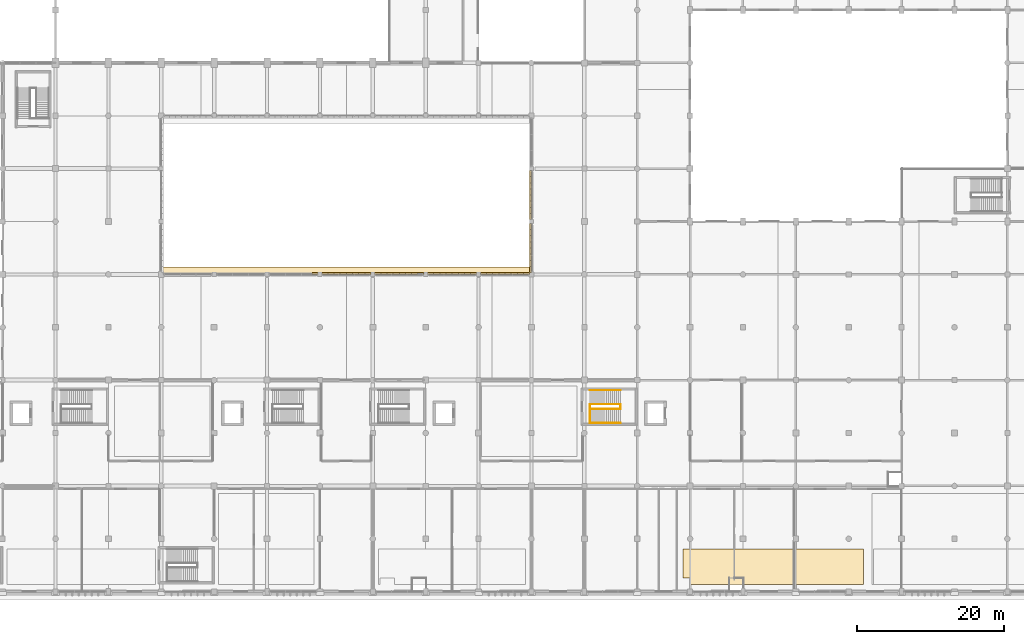
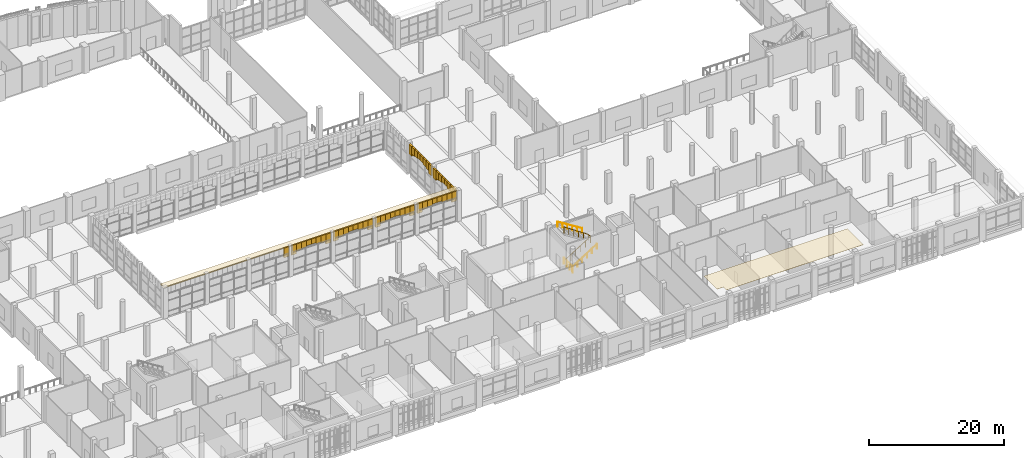
# One storey, part 70 of 80: 51 coverings, 4 railings.
"""IFC4 building model written with IfcOpenShell, lengths in metres."""

from ifc_helpers import new_model, si_unit, direction, frame, frame_2d, origin, origin_2d, place, context, subcontext, project, spatial, polyline, rectangle, circle, outline, extrude, material, layer, layer_set, type_object, element, save


model = new_model("IFC4")

# Units and contexts
model_context = context("Model", 3, precision=1e-05, world=origin(), true_north=direction((0.0, 1.0)))
body_context = subcontext(model_context, "Body", "Model", "MODEL_VIEW")
ifc_project = project(units=[si_unit("LENGTHUNIT", "METRE"), si_unit("AREAUNIT", "SQUARE_METRE"), si_unit("VOLUMEUNIT", "CUBIC_METRE"), si_unit("PLANEANGLEUNIT", "RADIAN"), si_unit("MASSUNIT", "GRAM", prefix="KILO")], contexts=[model_context])

# Site, building, storey
site_placement = place(None, origin())
site = spatial("IfcSite", under=ifc_project, at=site_placement, CompositionType="ELEMENT")
building_placement = place(site_placement, origin())
building = spatial("IfcBuilding", under=site, at=building_placement, Name="Sardonyx Promenade Sports Hall", CompositionType="ELEMENT")
storey_placement = place(building_placement, frame((0.0, 0.0, 5.60009765625)))
storey = spatial("IfcBuildingStorey", under=building, at=storey_placement, Name="L01", CompositionType="ELEMENT", Elevation=5.60009765625)

# Coverings
ifc_material_1 = material(Name="Perforated acoustic mineral-fibre baffle ceiling", Category="other")
ifc_layer_1 = layer(ifc_material_1, 0.0400390625)
ifc_layer_set_1 = layer_set([ifc_layer_1], Name="Cov_Ceil_Acoustic")
covering_type_1 = type_object("IfcCoveringType", Name="Cov_Ceil_Acoustic", PredefinedType="CEILING", material=ifc_layer_set_1)
covering_1_placement = place(storey_placement, frame((0.0, 0.0, 5.27001953125)))
element("IfcCovering", 1, at=covering_1_placement, inside=storey, type_object=covering_type_1, Name="Acoustic baffle ceiling CLG1 L01 #11", PredefinedType="CEILING", context=body_context, shape_type="SweptSolid", body=[
    extrude(outline(polyline([(138.800048828125, 5.800048828125), (114.199951171875, 5.800048828125), (114.199951171875, 1.8798828125), (115.19189453125, 1.8798828125), (115.19873046875, 1.879638671875), (115.20751953125, 1.87841796875), (115.21630859375, 1.876220703125), (115.224609375, 1.873291015625), (115.232421875, 1.869384765625), (115.239990234375, 1.864990234375), (115.247314453125, 1.859619140625), (115.253662109375, 1.853759765625), (115.259521484375, 1.84716796875), (115.264892578125, 1.840087890625), (115.26953125, 1.83251953125), (115.273193359375, 1.824462890625), (115.276123046875, 1.816162109375), (115.2783203125, 1.8076171875), (115.27978515625, 1.798828125), (115.280029296875, 1.7919921875), (115.280029296875, 1.0), (138.800048828125, 1.0), (138.800048828125, 5.800048828125)])), origin(), (0.0, 0.0, 1.0), 0.039794921875),
])
ifc_material_2 = material(Name="Dressed Cape red sandstone cornice", Category="masonry")
ifc_layer_2 = layer(ifc_material_2, 0.139892578125)
ifc_layer_set_2 = layer_set([ifc_layer_2], Name="Cov_Chhajja_Eave")
covering_type_2 = type_object("IfcCoveringType", Name="Cov_Chhajja_Eave", PredefinedType="MOLDING", material=ifc_layer_set_2)
covering_2_placement = place(storey_placement, frame((0.0, 0.0, 5.349853515625)))
element("IfcCovering", 2, at=covering_2_placement, inside=storey, type_object=covering_type_2, Name="Charbagh courtyard south chhajja eave L01", PredefinedType="MOLDING", context=body_context, shape_type="SweptSolid", body=[
    extrude(outline(polyline([(43.10009765625, 43.14990234375), (93.699951171875, 43.14990234375), (93.699951171875, 44.199951171875), (43.10009765625, 44.199951171875), (43.10009765625, 43.14990234375)])), origin(), (0.0, 0.0, 1.0), 0.179931640625),
])
ifc_material_3 = material(Name="Carved Cape red sandstone ashlar", Category="masonry")
ifc_layer_3 = layer(ifc_material_3, 0.239990234375)
ifc_layer_set_3 = layer_set([ifc_layer_3], Name="Cov_Mughal_Arch")
covering_type_3 = type_object("IfcCoveringType", Name="Cov_Mughal_Arch", PredefinedType="CLADDING", material=ifc_layer_set_3)
covering_3_placement = place(storey_placement, frame((63.71240234375, 43.35009765625, 3.584716796875), z_axis=(0.0, 0.0, 1.0), x_axis=(1.0, 0.0, 0.0)))
element("IfcCovering", 3, at=covering_3_placement, inside=storey, type_object=covering_type_3, Name="Mughal pointed-arch spandrel L01 cov:rq:S:L01:2 #8", PredefinedType="CLADDING", context=body_context, shape_type="SweptSolid", body=[
    extrude(rectangle(XDim=0.837646484375, YDim=0.280029296875, at=frame_2d((0.4189453125, 0.0))), origin(), (0.0, 0.0, 1.0), 1.76513671875),
])
covering_4_placement = place(storey_placement, frame((65.050048828125, 43.35009765625, 3.584716796875), z_axis=(0.0, 0.0, 1.0), x_axis=(1.0, 0.0, 0.0)))
element("IfcCovering", 4, at=covering_4_placement, inside=storey, type_object=covering_type_3, Name="Mughal pointed-arch spandrel L01 cov:rq:S:L01:3 #1", PredefinedType="CLADDING", context=body_context, shape_type="SweptSolid", body=[
    extrude(rectangle(XDim=0.83740234375, YDim=0.280029296875, at=frame_2d((0.418701171875, 0.0))), origin(), (0.0, 0.0, 1.0), 1.76513671875),
])
covering_5_placement = place(storey_placement, frame((65.887451171875, 43.35009765625, 4.041748046875), z_axis=(0.0, 0.0, 1.0), x_axis=(1.0, 0.0, 0.0)))
element("IfcCovering", 5, at=covering_5_placement, inside=storey, type_object=covering_type_3, Name="Mughal pointed-arch spandrel L01 cov:rq:S:L01:3 #2", PredefinedType="CLADDING", context=body_context, shape_type="SweptSolid", body=[
    extrude(rectangle(XDim=0.837646484375, YDim=0.280029296875, at=frame_2d((0.4189453125, 0.0))), origin(), (0.0, 0.0, 1.0), 1.30810546875),
])
covering_6_placement = place(storey_placement, frame((66.72509765625, 43.35009765625, 4.2119140625), z_axis=(0.0, 0.0, 1.0), x_axis=(1.0, 0.0, 0.0)))
element("IfcCovering", 6, at=covering_6_placement, inside=storey, type_object=covering_type_3, Name="Mughal pointed-arch spandrel L01 cov:rq:S:L01:3 #3", PredefinedType="CLADDING", context=body_context, shape_type="SweptSolid", body=[
    extrude(rectangle(XDim=0.83740234375, YDim=0.280029296875, at=frame_2d((0.418701171875, 0.0))), origin(), (0.0, 0.0, 1.0), 1.137939453125),
])
covering_7_placement = place(storey_placement, frame((67.5625, 43.35009765625, 4.429931640625), z_axis=(0.0, 0.0, 1.0), x_axis=(1.0, 0.0, 0.0)))
element("IfcCovering", 7, at=covering_7_placement, inside=storey, type_object=covering_type_3, Name="Mughal pointed-arch spandrel L01 cov:rq:S:L01:3 #4", PredefinedType="CLADDING", context=body_context, shape_type="SweptSolid", body=[
    extrude(rectangle(XDim=0.83740234375, YDim=0.280029296875, at=frame_2d((0.418701171875, 0.0))), origin(), (0.0, 0.0, 1.0), 0.919921875),
])
covering_8_placement = place(storey_placement, frame((68.39990234375, 43.35009765625, 4.429931640625), z_axis=(0.0, 0.0, 1.0), x_axis=(1.0, 0.0, 0.0)))
element("IfcCovering", 8, at=covering_8_placement, inside=storey, type_object=covering_type_3, Name="Mughal pointed-arch spandrel L01 cov:rq:S:L01:3 #5", PredefinedType="CLADDING", context=body_context, shape_type="SweptSolid", body=[
    extrude(rectangle(XDim=0.837646484375, YDim=0.280029296875, at=frame_2d((0.4189453125, 0.0))), origin(), (0.0, 0.0, 1.0), 0.919921875),
])
covering_9_placement = place(storey_placement, frame((69.237548828125, 43.35009765625, 4.2119140625), z_axis=(0.0, 0.0, 1.0), x_axis=(1.0, 0.0, 0.0)))
element("IfcCovering", 9, at=covering_9_placement, inside=storey, type_object=covering_type_3, Name="Mughal pointed-arch spandrel L01 cov:rq:S:L01:3 #6", PredefinedType="CLADDING", context=body_context, shape_type="SweptSolid", body=[
    extrude(rectangle(XDim=0.83740234375, YDim=0.280029296875, at=frame_2d((0.418701171875, 0.0))), origin(), (0.0, 0.0, 1.0), 1.137939453125),
])
covering_10_placement = place(storey_placement, frame((70.074951171875, 43.35009765625, 4.041748046875), z_axis=(0.0, 0.0, 1.0), x_axis=(1.0, 0.0, 0.0)))
element("IfcCovering", 10, at=covering_10_placement, inside=storey, type_object=covering_type_3, Name="Mughal pointed-arch spandrel L01 cov:rq:S:L01:3 #7", PredefinedType="CLADDING", context=body_context, shape_type="SweptSolid", body=[
    extrude(rectangle(XDim=0.837646484375, YDim=0.280029296875, at=frame_2d((0.4189453125, 0.0))), origin(), (0.0, 0.0, 1.0), 1.30810546875),
])
for number, where, z_axis, x_axis, name in (
    (11, (70.91259765625, 43.35009765625, 3.584716796875), (0.0, 0.0, 1.0), (1.0, 0.0, 0.0), "Mughal pointed-arch spandrel L01 cov:rq:S:L01:3 #8"),
    (12, (72.25, 43.35009765625, 3.584716796875), (0.0, 0.0, 1.0), (1.0, 0.0, 0.0), "Mughal pointed-arch spandrel L01 cov:rq:S:L01:4 #1"),
):
    element("IfcCovering", number, at=place(storey_placement, frame(where, z_axis=z_axis, x_axis=x_axis)), inside=storey, type_object=covering_type_3, Name=name, PredefinedType="CLADDING", context=body_context, shape_type="SweptSolid", body=[
        extrude(rectangle(XDim=0.83740234375, YDim=0.280029296875, at=frame_2d((0.418701171875, 0.0))), origin(), (0.0, 0.0, 1.0), 1.76513671875),
    ])
covering_11_placement = place(storey_placement, frame((73.08740234375, 43.35009765625, 4.041748046875), z_axis=(0.0, 0.0, 1.0), x_axis=(1.0, 0.0, 0.0)))
element("IfcCovering", 13, at=covering_11_placement, inside=storey, type_object=covering_type_3, Name="Mughal pointed-arch spandrel L01 cov:rq:S:L01:4 #2", PredefinedType="CLADDING", context=body_context, shape_type="SweptSolid", body=[
    extrude(rectangle(XDim=0.837646484375, YDim=0.280029296875, at=frame_2d((0.4189453125, 0.0))), origin(), (0.0, 0.0, 1.0), 1.30810546875),
])
covering_12_placement = place(storey_placement, frame((73.925048828125, 43.35009765625, 4.2119140625), z_axis=(0.0, 0.0, 1.0), x_axis=(1.0, 0.0, 0.0)))
element("IfcCovering", 14, at=covering_12_placement, inside=storey, type_object=covering_type_3, Name="Mughal pointed-arch spandrel L01 cov:rq:S:L01:4 #3", PredefinedType="CLADDING", context=body_context, shape_type="SweptSolid", body=[
    extrude(rectangle(XDim=0.83740234375, YDim=0.280029296875, at=frame_2d((0.418701171875, 0.0))), origin(), (0.0, 0.0, 1.0), 1.137939453125),
])
covering_13_placement = place(storey_placement, frame((74.762451171875, 43.35009765625, 4.429931640625), z_axis=(0.0, 0.0, 1.0), x_axis=(1.0, 0.0, 0.0)))
element("IfcCovering", 15, at=covering_13_placement, inside=storey, type_object=covering_type_3, Name="Mughal pointed-arch spandrel L01 cov:rq:S:L01:4 #4", PredefinedType="CLADDING", context=body_context, shape_type="SweptSolid", body=[
    extrude(rectangle(XDim=0.837646484375, YDim=0.280029296875, at=frame_2d((0.4189453125, 0.0))), origin(), (0.0, 0.0, 1.0), 0.919921875),
])
covering_14_placement = place(storey_placement, frame((75.60009765625, 43.35009765625, 4.429931640625), z_axis=(0.0, 0.0, 1.0), x_axis=(1.0, 0.0, 0.0)))
element("IfcCovering", 16, at=covering_14_placement, inside=storey, type_object=covering_type_3, Name="Mughal pointed-arch spandrel L01 cov:rq:S:L01:4 #5", PredefinedType="CLADDING", context=body_context, shape_type="SweptSolid", body=[
    extrude(rectangle(XDim=0.83740234375, YDim=0.280029296875, at=frame_2d((0.418701171875, 0.0))), origin(), (0.0, 0.0, 1.0), 0.919921875),
])
covering_15_placement = place(storey_placement, frame((76.4375, 43.35009765625, 4.2119140625), z_axis=(0.0, 0.0, 1.0), x_axis=(1.0, 0.0, 0.0)))
element("IfcCovering", 17, at=covering_15_placement, inside=storey, type_object=covering_type_3, Name="Mughal pointed-arch spandrel L01 cov:rq:S:L01:4 #6", PredefinedType="CLADDING", context=body_context, shape_type="SweptSolid", body=[
    extrude(rectangle(XDim=0.83740234375, YDim=0.280029296875, at=frame_2d((0.418701171875, 0.0))), origin(), (0.0, 0.0, 1.0), 1.137939453125),
])
covering_16_placement = place(storey_placement, frame((77.27490234375, 43.35009765625, 4.041748046875), z_axis=(0.0, 0.0, 1.0), x_axis=(1.0, 0.0, 0.0)))
element("IfcCovering", 18, at=covering_16_placement, inside=storey, type_object=covering_type_3, Name="Mughal pointed-arch spandrel L01 cov:rq:S:L01:4 #7", PredefinedType="CLADDING", context=body_context, shape_type="SweptSolid", body=[
    extrude(rectangle(XDim=0.837646484375, YDim=0.280029296875, at=frame_2d((0.4189453125, 0.0))), origin(), (0.0, 0.0, 1.0), 1.30810546875),
])
covering_17_placement = place(storey_placement, frame((78.112548828125, 43.35009765625, 3.584716796875), z_axis=(0.0, 0.0, 1.0), x_axis=(1.0, 0.0, 0.0)))
element("IfcCovering", 19, at=covering_17_placement, inside=storey, type_object=covering_type_3, Name="Mughal pointed-arch spandrel L01 cov:rq:S:L01:4 #8", PredefinedType="CLADDING", context=body_context, shape_type="SweptSolid", body=[
    extrude(rectangle(XDim=0.83740234375, YDim=0.280029296875, at=frame_2d((0.418701171875, 0.0))), origin(), (0.0, 0.0, 1.0), 1.76513671875),
])
covering_18_placement = place(storey_placement, frame((79.449951171875, 43.35009765625, 3.584716796875), z_axis=(0.0, 0.0, 1.0), x_axis=(1.0, 0.0, 0.0)))
element("IfcCovering", 20, at=covering_18_placement, inside=storey, type_object=covering_type_3, Name="Mughal pointed-arch spandrel L01 cov:rq:S:L01:5 #1", PredefinedType="CLADDING", context=body_context, shape_type="SweptSolid", body=[
    extrude(rectangle(XDim=0.837646484375, YDim=0.280029296875, at=frame_2d((0.4189453125, 0.0))), origin(), (0.0, 0.0, 1.0), 1.76513671875),
])
covering_19_placement = place(storey_placement, frame((80.28759765625, 43.35009765625, 4.041748046875), z_axis=(0.0, 0.0, 1.0), x_axis=(1.0, 0.0, 0.0)))
element("IfcCovering", 21, at=covering_19_placement, inside=storey, type_object=covering_type_3, Name="Mughal pointed-arch spandrel L01 cov:rq:S:L01:5 #2", PredefinedType="CLADDING", context=body_context, shape_type="SweptSolid", body=[
    extrude(rectangle(XDim=0.83740234375, YDim=0.280029296875, at=frame_2d((0.418701171875, 0.0))), origin(), (0.0, 0.0, 1.0), 1.30810546875),
])
covering_20_placement = place(storey_placement, frame((81.125, 43.35009765625, 4.2119140625), z_axis=(0.0, 0.0, 1.0), x_axis=(1.0, 0.0, 0.0)))
element("IfcCovering", 22, at=covering_20_placement, inside=storey, type_object=covering_type_3, Name="Mughal pointed-arch spandrel L01 cov:rq:S:L01:5 #3", PredefinedType="CLADDING", context=body_context, shape_type="SweptSolid", body=[
    extrude(rectangle(XDim=0.83740234375, YDim=0.280029296875, at=frame_2d((0.418701171875, 0.0))), origin(), (0.0, 0.0, 1.0), 1.137939453125),
])
covering_21_placement = place(storey_placement, frame((81.96240234375, 43.35009765625, 4.429931640625), z_axis=(0.0, 0.0, 1.0), x_axis=(1.0, 0.0, 0.0)))
element("IfcCovering", 23, at=covering_21_placement, inside=storey, type_object=covering_type_3, Name="Mughal pointed-arch spandrel L01 cov:rq:S:L01:5 #4", PredefinedType="CLADDING", context=body_context, shape_type="SweptSolid", body=[
    extrude(rectangle(XDim=0.837646484375, YDim=0.280029296875, at=frame_2d((0.4189453125, 0.0))), origin(), (0.0, 0.0, 1.0), 0.919921875),
])
covering_22_placement = place(storey_placement, frame((82.800048828125, 43.35009765625, 4.429931640625), z_axis=(0.0, 0.0, 1.0), x_axis=(1.0, 0.0, 0.0)))
element("IfcCovering", 24, at=covering_22_placement, inside=storey, type_object=covering_type_3, Name="Mughal pointed-arch spandrel L01 cov:rq:S:L01:5 #5", PredefinedType="CLADDING", context=body_context, shape_type="SweptSolid", body=[
    extrude(rectangle(XDim=0.83740234375, YDim=0.280029296875, at=frame_2d((0.418701171875, 0.0))), origin(), (0.0, 0.0, 1.0), 0.919921875),
])
covering_23_placement = place(storey_placement, frame((83.637451171875, 43.35009765625, 4.2119140625), z_axis=(0.0, 0.0, 1.0), x_axis=(1.0, 0.0, 0.0)))
element("IfcCovering", 25, at=covering_23_placement, inside=storey, type_object=covering_type_3, Name="Mughal pointed-arch spandrel L01 cov:rq:S:L01:5 #6", PredefinedType="CLADDING", context=body_context, shape_type="SweptSolid", body=[
    extrude(rectangle(XDim=0.837646484375, YDim=0.280029296875, at=frame_2d((0.4189453125, 0.0))), origin(), (0.0, 0.0, 1.0), 1.137939453125),
])
covering_24_placement = place(storey_placement, frame((84.47509765625, 43.35009765625, 4.041748046875), z_axis=(0.0, 0.0, 1.0), x_axis=(1.0, 0.0, 0.0)))
element("IfcCovering", 26, at=covering_24_placement, inside=storey, type_object=covering_type_3, Name="Mughal pointed-arch spandrel L01 cov:rq:S:L01:5 #7", PredefinedType="CLADDING", context=body_context, shape_type="SweptSolid", body=[
    extrude(rectangle(XDim=0.83740234375, YDim=0.280029296875, at=frame_2d((0.418701171875, 0.0))), origin(), (0.0, 0.0, 1.0), 1.30810546875),
])
covering_25_placement = place(storey_placement, frame((85.3125, 43.35009765625, 3.584716796875), z_axis=(0.0, 0.0, 1.0), x_axis=(1.0, 0.0, 0.0)))
element("IfcCovering", 27, at=covering_25_placement, inside=storey, type_object=covering_type_3, Name="Mughal pointed-arch spandrel L01 cov:rq:S:L01:5 #8", PredefinedType="CLADDING", context=body_context, shape_type="SweptSolid", body=[
    extrude(rectangle(XDim=0.83740234375, YDim=0.280029296875, at=frame_2d((0.418701171875, 0.0))), origin(), (0.0, 0.0, 1.0), 1.76513671875),
])
covering_26_placement = place(storey_placement, frame((86.64990234375, 43.35009765625, 3.584716796875), z_axis=(0.0, 0.0, 1.0), x_axis=(1.0, 0.0, 0.0)))
element("IfcCovering", 28, at=covering_26_placement, inside=storey, type_object=covering_type_3, Name="Mughal pointed-arch spandrel L01 cov:rq:S:L01:6 #1", PredefinedType="CLADDING", context=body_context, shape_type="SweptSolid", body=[
    extrude(rectangle(XDim=0.837646484375, YDim=0.280029296875, at=frame_2d((0.4189453125, 0.0))), origin(), (0.0, 0.0, 1.0), 1.76513671875),
])
covering_27_placement = place(storey_placement, frame((87.487548828125, 43.35009765625, 4.041748046875), z_axis=(0.0, 0.0, 1.0), x_axis=(1.0, 0.0, 0.0)))
element("IfcCovering", 29, at=covering_27_placement, inside=storey, type_object=covering_type_3, Name="Mughal pointed-arch spandrel L01 cov:rq:S:L01:6 #2", PredefinedType="CLADDING", context=body_context, shape_type="SweptSolid", body=[
    extrude(rectangle(XDim=0.83740234375, YDim=0.280029296875, at=frame_2d((0.418701171875, 0.0))), origin(), (0.0, 0.0, 1.0), 1.30810546875),
])
covering_28_placement = place(storey_placement, frame((88.324951171875, 43.35009765625, 4.2119140625), z_axis=(0.0, 0.0, 1.0), x_axis=(1.0, 0.0, 0.0)))
element("IfcCovering", 30, at=covering_28_placement, inside=storey, type_object=covering_type_3, Name="Mughal pointed-arch spandrel L01 cov:rq:S:L01:6 #3", PredefinedType="CLADDING", context=body_context, shape_type="SweptSolid", body=[
    extrude(rectangle(XDim=0.837646484375, YDim=0.280029296875, at=frame_2d((0.4189453125, 0.0))), origin(), (0.0, 0.0, 1.0), 1.137939453125),
])
for number, where, z_axis, x_axis, name in (
    (31, (89.16259765625, 43.35009765625, 4.429931640625), (0.0, 0.0, 1.0), (1.0, 0.0, 0.0), "Mughal pointed-arch spandrel L01 cov:rq:S:L01:6 #4"),
    (32, (90.0, 43.35009765625, 4.429931640625), (0.0, 0.0, 1.0), (1.0, 0.0, 0.0), "Mughal pointed-arch spandrel L01 cov:rq:S:L01:6 #5"),
):
    element("IfcCovering", number, at=place(storey_placement, frame(where, z_axis=z_axis, x_axis=x_axis)), inside=storey, type_object=covering_type_3, Name=name, PredefinedType="CLADDING", context=body_context, shape_type="SweptSolid", body=[
        extrude(rectangle(XDim=0.83740234375, YDim=0.280029296875, at=frame_2d((0.418701171875, 0.0))), origin(), (0.0, 0.0, 1.0), 0.919921875),
    ])
covering_29_placement = place(storey_placement, frame((90.83740234375, 43.35009765625, 4.2119140625), z_axis=(0.0, 0.0, 1.0), x_axis=(1.0, 0.0, 0.0)))
element("IfcCovering", 33, at=covering_29_placement, inside=storey, type_object=covering_type_3, Name="Mughal pointed-arch spandrel L01 cov:rq:S:L01:6 #6", PredefinedType="CLADDING", context=body_context, shape_type="SweptSolid", body=[
    extrude(rectangle(XDim=0.837646484375, YDim=0.280029296875, at=frame_2d((0.4189453125, 0.0))), origin(), (0.0, 0.0, 1.0), 1.137939453125),
])
covering_30_placement = place(storey_placement, frame((91.675048828125, 43.35009765625, 4.041748046875), z_axis=(0.0, 0.0, 1.0), x_axis=(1.0, 0.0, 0.0)))
element("IfcCovering", 34, at=covering_30_placement, inside=storey, type_object=covering_type_3, Name="Mughal pointed-arch spandrel L01 cov:rq:S:L01:6 #7", PredefinedType="CLADDING", context=body_context, shape_type="SweptSolid", body=[
    extrude(rectangle(XDim=0.83740234375, YDim=0.280029296875, at=frame_2d((0.418701171875, 0.0))), origin(), (0.0, 0.0, 1.0), 1.30810546875),
])
for number, where, z_axis, x_axis, name in (
    (35, (92.512451171875, 43.35009765625, 3.584716796875), (0.0, 0.0, 1.0), (1.0, 0.0, 0.0), "Mughal pointed-arch spandrel L01 cov:rq:S:L01:6 #8"),
    (36, (93.449951171875, 43.449951171875, 3.584716796875), (0.0, 0.0, 1.0), (0.0, 1.0, 0.0), "Mughal pointed-arch spandrel L01 cov:rq:E:L01:0 #1"),
):
    element("IfcCovering", number, at=place(storey_placement, frame(where, z_axis=z_axis, x_axis=x_axis)), inside=storey, type_object=covering_type_3, Name=name, PredefinedType="CLADDING", context=body_context, shape_type="SweptSolid", body=[
        extrude(rectangle(XDim=0.837646484375, YDim=0.280029296875, at=frame_2d((0.4189453125, 0.0))), origin(), (0.0, 0.0, 1.0), 1.76513671875),
    ])
covering_31_placement = place(storey_placement, frame((93.449951171875, 44.28759765625, 4.041748046875), z_axis=(0.0, 0.0, 1.0), x_axis=(0.0, 1.0, 0.0)))
element("IfcCovering", 37, at=covering_31_placement, inside=storey, type_object=covering_type_3, Name="Mughal pointed-arch spandrel L01 cov:rq:E:L01:0 #2", PredefinedType="CLADDING", context=body_context, shape_type="SweptSolid", body=[
    extrude(rectangle(XDim=0.83740234375, YDim=0.280029296875, at=frame_2d((0.418701171875, 0.0))), origin(), (0.0, 0.0, 1.0), 1.30810546875),
])
covering_32_placement = place(storey_placement, frame((93.449951171875, 45.125, 4.2119140625), z_axis=(0.0, 0.0, 1.0), x_axis=(0.0, 1.0, 0.0)))
element("IfcCovering", 38, at=covering_32_placement, inside=storey, type_object=covering_type_3, Name="Mughal pointed-arch spandrel L01 cov:rq:E:L01:0 #3", PredefinedType="CLADDING", context=body_context, shape_type="SweptSolid", body=[
    extrude(rectangle(XDim=0.83740234375, YDim=0.280029296875, at=frame_2d((0.418701171875, 0.0))), origin(), (0.0, 0.0, 1.0), 1.137939453125),
])
covering_33_placement = place(storey_placement, frame((93.449951171875, 45.96240234375, 4.429931640625), z_axis=(0.0, 0.0, 1.0), x_axis=(0.0, 1.0, 0.0)))
element("IfcCovering", 39, at=covering_33_placement, inside=storey, type_object=covering_type_3, Name="Mughal pointed-arch spandrel L01 cov:rq:E:L01:0 #4", PredefinedType="CLADDING", context=body_context, shape_type="SweptSolid", body=[
    extrude(rectangle(XDim=0.837646484375, YDim=0.280029296875, at=frame_2d((0.4189453125, 0.0))), origin(), (0.0, 0.0, 1.0), 0.919921875),
])
covering_34_placement = place(storey_placement, frame((93.449951171875, 46.800048828125, 4.429931640625), z_axis=(0.0, 0.0, 1.0), x_axis=(0.0, 1.0, 0.0)))
element("IfcCovering", 40, at=covering_34_placement, inside=storey, type_object=covering_type_3, Name="Mughal pointed-arch spandrel L01 cov:rq:E:L01:0 #5", PredefinedType="CLADDING", context=body_context, shape_type="SweptSolid", body=[
    extrude(rectangle(XDim=0.83740234375, YDim=0.280029296875, at=frame_2d((0.418701171875, 0.0))), origin(), (0.0, 0.0, 1.0), 0.919921875),
])
covering_35_placement = place(storey_placement, frame((93.449951171875, 47.637451171875, 4.2119140625), z_axis=(0.0, 0.0, 1.0), x_axis=(0.0, 1.0, 0.0)))
element("IfcCovering", 41, at=covering_35_placement, inside=storey, type_object=covering_type_3, Name="Mughal pointed-arch spandrel L01 cov:rq:E:L01:0 #6", PredefinedType="CLADDING", context=body_context, shape_type="SweptSolid", body=[
    extrude(rectangle(XDim=0.837646484375, YDim=0.280029296875, at=frame_2d((0.4189453125, 0.0))), origin(), (0.0, 0.0, 1.0), 1.137939453125),
])
covering_36_placement = place(storey_placement, frame((93.449951171875, 48.47509765625, 4.041748046875), z_axis=(0.0, 0.0, 1.0), x_axis=(0.0, 1.0, 0.0)))
element("IfcCovering", 42, at=covering_36_placement, inside=storey, type_object=covering_type_3, Name="Mughal pointed-arch spandrel L01 cov:rq:E:L01:0 #7", PredefinedType="CLADDING", context=body_context, shape_type="SweptSolid", body=[
    extrude(rectangle(XDim=0.83740234375, YDim=0.280029296875, at=frame_2d((0.418701171875, 0.0))), origin(), (0.0, 0.0, 1.0), 1.30810546875),
])
covering_37_placement = place(storey_placement, frame((93.449951171875, 49.3125, 3.584716796875), z_axis=(0.0, 0.0, 1.0), x_axis=(0.0, 1.0, 0.0)))
element("IfcCovering", 43, at=covering_37_placement, inside=storey, type_object=covering_type_3, Name="Mughal pointed-arch spandrel L01 cov:rq:E:L01:0 #8", PredefinedType="CLADDING", context=body_context, shape_type="SweptSolid", body=[
    extrude(rectangle(XDim=0.83740234375, YDim=0.280029296875, at=frame_2d((0.418701171875, 0.0))), origin(), (0.0, 0.0, 1.0), 1.76513671875),
])
covering_38_placement = place(storey_placement, frame((93.449951171875, 50.64990234375, 3.584716796875), z_axis=(0.0, 0.0, 1.0), x_axis=(0.0, 1.0, 0.0)))
element("IfcCovering", 44, at=covering_38_placement, inside=storey, type_object=covering_type_3, Name="Mughal pointed-arch spandrel L01 cov:rq:E:L01:1 #1", PredefinedType="CLADDING", context=body_context, shape_type="SweptSolid", body=[
    extrude(rectangle(XDim=0.837646484375, YDim=0.280029296875, at=frame_2d((0.4189453125, 0.0))), origin(), (0.0, 0.0, 1.0), 1.76513671875),
])
covering_39_placement = place(storey_placement, frame((93.449951171875, 51.487548828125, 4.041748046875), z_axis=(0.0, 0.0, 1.0), x_axis=(0.0, 1.0, 0.0)))
element("IfcCovering", 45, at=covering_39_placement, inside=storey, type_object=covering_type_3, Name="Mughal pointed-arch spandrel L01 cov:rq:E:L01:1 #2", PredefinedType="CLADDING", context=body_context, shape_type="SweptSolid", body=[
    extrude(rectangle(XDim=0.83740234375, YDim=0.280029296875, at=frame_2d((0.418701171875, 0.0))), origin(), (0.0, 0.0, 1.0), 1.30810546875),
])
covering_40_placement = place(storey_placement, frame((93.449951171875, 52.324951171875, 4.2119140625), z_axis=(0.0, 0.0, 1.0), x_axis=(0.0, 1.0, 0.0)))
element("IfcCovering", 46, at=covering_40_placement, inside=storey, type_object=covering_type_3, Name="Mughal pointed-arch spandrel L01 cov:rq:E:L01:1 #3", PredefinedType="CLADDING", context=body_context, shape_type="SweptSolid", body=[
    extrude(rectangle(XDim=0.837646484375, YDim=0.280029296875, at=frame_2d((0.4189453125, 0.0))), origin(), (0.0, 0.0, 1.0), 1.137939453125),
])
for number, where, z_axis, x_axis, name in (
    (47, (93.449951171875, 53.16259765625, 4.429931640625), (0.0, 0.0, 1.0), (0.0, 1.0, 0.0), "Mughal pointed-arch spandrel L01 cov:rq:E:L01:1 #4"),
    (48, (93.449951171875, 54.0, 4.429931640625), (0.0, 0.0, 1.0), (0.0, 1.0, 0.0), "Mughal pointed-arch spandrel L01 cov:rq:E:L01:1 #5"),
):
    element("IfcCovering", number, at=place(storey_placement, frame(where, z_axis=z_axis, x_axis=x_axis)), inside=storey, type_object=covering_type_3, Name=name, PredefinedType="CLADDING", context=body_context, shape_type="SweptSolid", body=[
        extrude(rectangle(XDim=0.83740234375, YDim=0.280029296875, at=frame_2d((0.418701171875, 0.0))), origin(), (0.0, 0.0, 1.0), 0.919921875),
    ])
covering_41_placement = place(storey_placement, frame((93.449951171875, 54.83740234375, 4.2119140625), z_axis=(0.0, 0.0, 1.0), x_axis=(0.0, 1.0, 0.0)))
element("IfcCovering", 49, at=covering_41_placement, inside=storey, type_object=covering_type_3, Name="Mughal pointed-arch spandrel L01 cov:rq:E:L01:1 #6", PredefinedType="CLADDING", context=body_context, shape_type="SweptSolid", body=[
    extrude(rectangle(XDim=0.837646484375, YDim=0.280029296875, at=frame_2d((0.4189453125, 0.0))), origin(), (0.0, 0.0, 1.0), 1.137939453125),
])
covering_42_placement = place(storey_placement, frame((93.449951171875, 55.675048828125, 4.041748046875), z_axis=(0.0, 0.0, 1.0), x_axis=(0.0, 1.0, 0.0)))
element("IfcCovering", 50, at=covering_42_placement, inside=storey, type_object=covering_type_3, Name="Mughal pointed-arch spandrel L01 cov:rq:E:L01:1 #7", PredefinedType="CLADDING", context=body_context, shape_type="SweptSolid", body=[
    extrude(rectangle(XDim=0.83740234375, YDim=0.280029296875, at=frame_2d((0.418701171875, 0.0))), origin(), (0.0, 0.0, 1.0), 1.30810546875),
])
covering_43_placement = place(storey_placement, frame((93.449951171875, 56.512451171875, 3.584716796875), z_axis=(0.0, 0.0, 1.0), x_axis=(0.0, 1.0, 0.0)))
element("IfcCovering", 51, at=covering_43_placement, inside=storey, type_object=covering_type_3, Name="Mughal pointed-arch spandrel L01 cov:rq:E:L01:1 #8", PredefinedType="CLADDING", context=body_context, shape_type="SweptSolid", body=[
    extrude(rectangle(XDim=0.837646484375, YDim=0.280029296875, at=frame_2d((0.4189453125, 0.0))), origin(), (0.0, 0.0, 1.0), 1.76513671875),
])

# Railings
ifc_material_4 = material(Name="Powder-coated Steel S355JR", Category="steel")
railing_type_1 = type_object("IfcRailingType", Name="Rail_Int_Guard_1100", PredefinedType="GUARDRAIL", material=ifc_material_4)
railing_1_placement = place(storey_placement, frame((101.56005859375, 22.945068359375, 0.0)))
element("IfcRailing", 52, at=railing_1_placement, inside=storey, type_object=railing_type_1, Name="Stair floor-edge guard ST2 L01", PredefinedType="GUARDRAIL", context=body_context, shape_type="SweptSolid", body=[
    extrude(circle(Radius=0.02392578125, at=origin_2d()), frame((0.0, 0.0, 1.09619140625), z_axis=(0.0, 1.0, 0.0), x_axis=(-1.0, 0.0, 0.0)), (0.0, 0.0, 1.0), 2.56982421875),
    extrude(circle(Radius=0.02392578125, at=origin_2d()), frame((0.0, 2.56982421875, 1.09619140625), z_axis=(-1.0, 0.0, 0.0), x_axis=(0.0, -1.0, 0.0)), (0.0, 0.0, 1.0), 0.010009765625),
    extrude(circle(Radius=0.02099609375, at=origin_2d()), origin(), (0.0, 0.0, 1.0), 1.072021484375),
    extrude(circle(Radius=0.02099609375, at=origin_2d()), frame((0.0, 0.856689453125, 0.0)), (0.0, 0.0, 1.0), 1.072021484375),
    extrude(circle(Radius=0.02099609375, at=origin_2d()), frame((0.0, 1.713134765625, 0.0)), (0.0, 0.0, 1.0), 1.072021484375),
    extrude(circle(Radius=0.02099609375, at=origin_2d()), frame((0.0, 2.56982421875, 0.0)), (0.0, 0.0, 1.0), 1.072021484375),
    extrude(circle(Radius=0.02099609375, at=origin_2d()), frame((-0.010009765625, 2.56982421875, 0.0)), (0.0, 0.0, 1.0), 1.072021484375),
])
railing_2_placement = place(storey_placement, frame((101.550048828125, 24.885009765625, 0.1748046875)))
element("IfcRailing", 53, at=railing_2_placement, inside=storey, type_object=railing_type_1, Name="Stair inner well guard ST2 L01", PredefinedType="GUARDRAIL", context=body_context, shape_type="SweptSolid", body=[
    extrude(circle(Radius=0.02392578125, at=origin_2d()), frame((0.0, 0.0, 1.09619140625), z_axis=(0.846854242419, 0.0, 0.531825057794), x_axis=(0.0, 1.0, 0.0)), (0.0, 0.0, 1.0), 4.935791015625),
    extrude(circle(Radius=0.02392578125, at=origin_2d()), frame((4.179931640625, 0.0, 3.72119140625), z_axis=(0.0, 1.0, 0.0), x_axis=(-1.0, 0.0, 0.0)), (0.0, 0.0, 1.0), 0.6298828125),
    extrude(circle(Radius=0.02392578125, at=origin_2d()), frame((4.179931640625, 0.6298828125, 3.72119140625), z_axis=(-0.830816424754, 0.0, 0.556546555429), x_axis=(0.0, -1.0, 0.0)), (0.0, 0.0, 1.0), 5.031005859375),
    extrude(circle(Radius=0.02099609375, at=origin_2d()), origin(), (0.0, 0.0, 1.0), 1.072021484375),
    extrude(circle(Radius=0.02099609375, at=origin_2d()), frame((0.8359375, 0.0, 0.52490234375)), (0.0, 0.0, 1.0), 1.072021484375),
    extrude(circle(Radius=0.02099609375, at=origin_2d()), frame((1.671875, 0.0, 1.050048828125)), (0.0, 0.0, 1.0), 1.072021484375),
    extrude(circle(Radius=0.02099609375, at=origin_2d()), frame((2.508056640625, 0.0, 1.574951171875)), (0.0, 0.0, 1.0), 1.072021484375),
    extrude(circle(Radius=0.02099609375, at=origin_2d()), frame((3.343994140625, 0.0, 2.10009765625)), (0.0, 0.0, 1.0), 1.072021484375),
    extrude(circle(Radius=0.02099609375, at=origin_2d()), frame((4.179931640625, 0.0, 2.625)), (0.0, 0.0, 1.0), 1.072021484375),
    extrude(circle(Radius=0.02099609375, at=origin_2d()), frame((4.179931640625, 0.6298828125, 2.625)), (0.0, 0.0, 1.0), 1.072021484375),
    extrude(circle(Radius=0.02099609375, at=origin_2d()), frame((3.343994140625, 0.6298828125, 3.18505859375)), (0.0, 0.0, 1.0), 1.072021484375),
    extrude(circle(Radius=0.02099609375, at=origin_2d()), frame((2.508056640625, 0.6298828125, 3.7451171875)), (0.0, 0.0, 1.0), 1.072021484375),
    extrude(circle(Radius=0.02099609375, at=origin_2d()), frame((1.671875, 0.6298828125, 4.304931640625)), (0.0, 0.0, 1.0), 1.072021484375),
    extrude(circle(Radius=0.02099609375, at=origin_2d()), frame((0.8359375, 0.6298828125, 4.864990234375)), (0.0, 0.0, 1.0), 1.072021484375),
    extrude(circle(Radius=0.02099609375, at=origin_2d()), frame((0.0, 0.6298828125, 5.425048828125)), (0.0, 0.0, 1.0), 1.072021484375),
])
ifc_material_5 = material(Name="Brushed stainless steel Grade 304", Category="steel")
railing_type_2 = type_object("IfcRailingType", Name="Rail_Int_Handrail_900", PredefinedType="HANDRAIL", material=ifc_material_5)
railing_3_placement = place(storey_placement, frame((101.550048828125, 22.97509765625, 0.1748046875)))
element("IfcRailing", 54, at=railing_3_placement, inside=storey, type_object=railing_type_2, Name="Stair handrail ST2 L01 F1", PredefinedType="HANDRAIL", context=body_context, shape_type="SweptSolid", body=[
    extrude(circle(Radius=0.02392578125, at=origin_2d()), frame((0.0, 0.0, 0.8759765625), z_axis=(0.847995534698, 0.0, 0.530003370869), x_axis=(0.0, 1.0, 0.0)), (0.0, 0.0, 1.0), 4.952880859375),
    extrude(circle(Radius=0.02099609375, at=origin_2d()), origin(), (0.0, 0.0, 1.0), 0.851806640625),
    extrude(circle(Radius=0.02099609375, at=origin_2d()), frame((0.840087890625, 0.0, 0.52490234375)), (0.0, 0.0, 1.0), 0.851806640625),
    extrude(circle(Radius=0.02099609375, at=origin_2d()), frame((1.679931640625, 0.0, 1.050048828125)), (0.0, 0.0, 1.0), 0.851806640625),
    extrude(circle(Radius=0.02099609375, at=origin_2d()), frame((2.52001953125, 0.0, 1.574951171875)), (0.0, 0.0, 1.0), 0.851806640625),
    extrude(circle(Radius=0.02099609375, at=origin_2d()), frame((3.35986328125, 0.0, 2.10009765625)), (0.0, 0.0, 1.0), 0.851806640625),
    extrude(circle(Radius=0.02099609375, at=origin_2d()), frame((4.199951171875, 0.0, 2.625)), (0.0, 0.0, 1.0), 0.851806640625),
])
railing_4_placement = place(storey_placement, frame((105.75, 27.425048828125, 2.974853515625)))
element("IfcRailing", 55, at=railing_4_placement, inside=storey, type_object=railing_type_2, Name="Stair handrail ST2 L01 F2", PredefinedType="HANDRAIL", context=body_context, shape_type="SweptSolid", body=[
    extrude(circle(Radius=0.02392578125, at=origin_2d()), frame((0.0, 0.0, 0.8759765625), z_axis=(-0.847995534698, 0.0, 0.530003370869), x_axis=(0.0, -1.0, 0.0)), (0.0, 0.0, 1.0), 4.952880859375),
    extrude(circle(Radius=0.02099609375, at=origin_2d()), origin(), (0.0, 0.0, 1.0), 0.851806640625),
    extrude(circle(Radius=0.02099609375, at=origin_2d()), frame((-0.840087890625, 0.0, 0.52490234375)), (0.0, 0.0, 1.0), 0.851806640625),
    extrude(circle(Radius=0.02099609375, at=origin_2d()), frame((-1.679931640625, 0.0, 1.050048828125)), (0.0, 0.0, 1.0), 0.851806640625),
    extrude(circle(Radius=0.02099609375, at=origin_2d()), frame((-2.52001953125, 0.0, 1.574951171875)), (0.0, 0.0, 1.0), 0.851806640625),
    extrude(circle(Radius=0.02099609375, at=origin_2d()), frame((-3.35986328125, 0.0, 2.10009765625)), (0.0, 0.0, 1.0), 0.851806640625),
    extrude(circle(Radius=0.02099609375, at=origin_2d()), frame((-4.199951171875, 0.0, 2.625)), (0.0, 0.0, 1.0), 0.851806640625),
])

save(model, "model.ifc")
